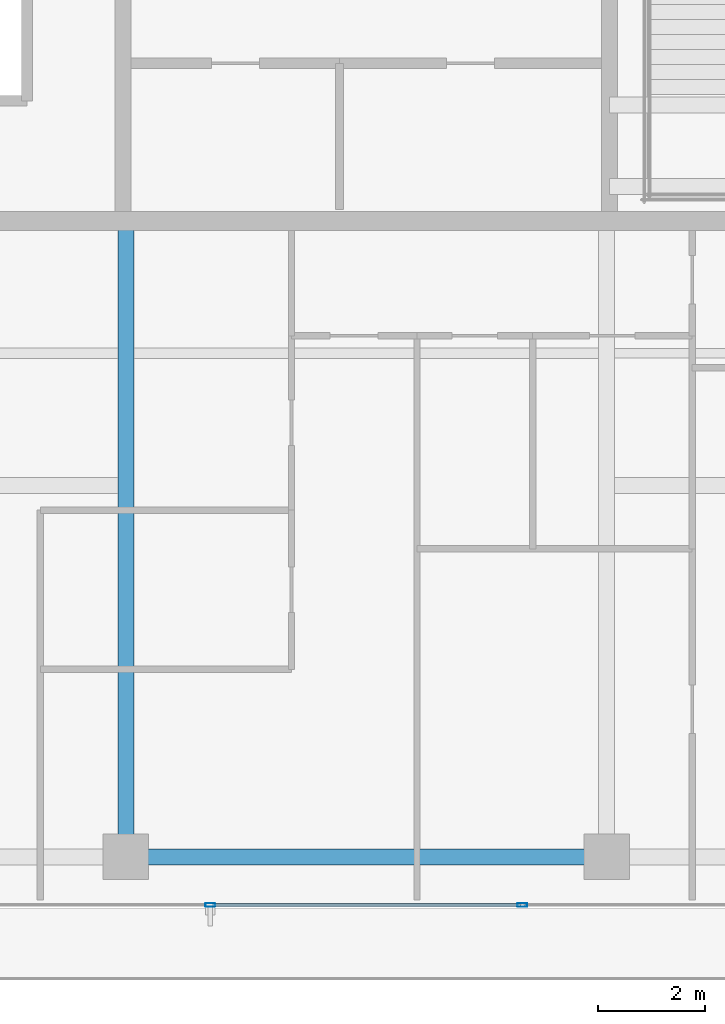
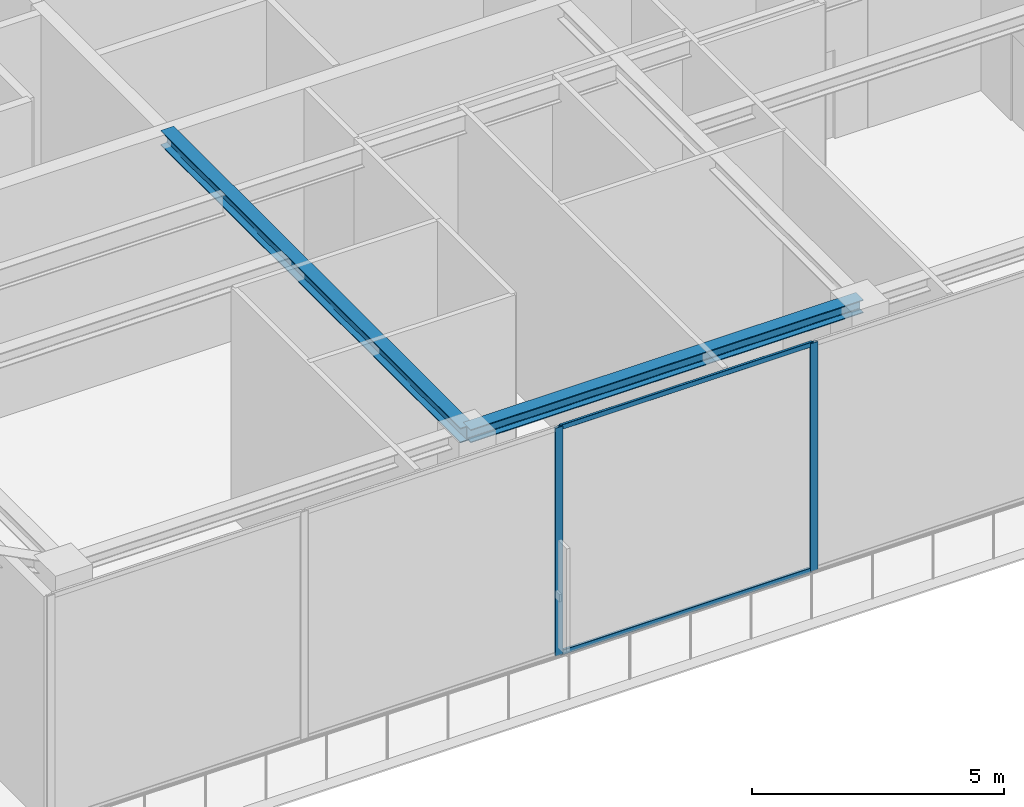
# One storey, part 6 of 38: 4 members, 2 beams, 1 element without a shape of its own.
"""IFC4 building model written with IfcOpenShell, lengths in metres."""

from ifc_helpers import new_model, si_unit, direction, frame, origin, origin_2d, place, context, subcontext, project, spatial, hollow_rectangle, i_section, extrude, source, transform, mapped, material, layer, layer_set, material_profile, profile_set, type_object, element, aggregate, save


model = new_model("IFC4")

# Units and contexts
model_context = context("Model", 3, precision=1e-05, world=origin(), true_north=direction((0.0, 1.0)))
body_context = subcontext(model_context, "Body", "Model", "MODEL_VIEW")
ifc_project = project(units=[si_unit("LENGTHUNIT", "METRE"), si_unit("AREAUNIT", "SQUARE_METRE"), si_unit("VOLUMEUNIT", "CUBIC_METRE"), si_unit("PLANEANGLEUNIT", "RADIAN"), si_unit("MASSUNIT", "GRAM", prefix="KILO")], contexts=[model_context])

# Site, building, storey
site_placement = place(None, origin())
site = spatial("IfcSite", under=ifc_project, at=site_placement, CompositionType="ELEMENT")
building_placement = place(site_placement, origin())
building = spatial("IfcBuilding", under=site, at=building_placement, Name="Serunith Strait Residences", CompositionType="ELEMENT")
storey_placement = place(building_placement, frame((0.0, 0.0, 353.85009765625)))
storey = spatial("IfcBuildingStorey", under=building, at=storey_placement, Name="L87", CompositionType="ELEMENT", Elevation=353.85009765625)

# Beams
ifc_material_1 = material(Name="Steel S355J2", Category="steel")
ifc_material_profile_1 = material_profile(ifc_material_1, i_section(OverallWidth=0.300048828125, OverallDepth=0.360107421875, WebThickness=0.012451171875, FlangeThickness=0.0224609375, FilletRadius=0.027099609375, at=origin_2d()), Name="HEB 360")
ifc_profile_set_1 = profile_set([ifc_material_profile_1], Name="Steel S355J2")
beam_type_1 = type_object("IfcBeamType", Name="BM-HEB360", PredefinedType="BEAM", material=ifc_profile_set_1)
shared_shape_1 = source(origin(), body_context, "Body", "SweptSolid", [
    extrude(i_section(OverallWidth=0.300048828125, OverallDepth=0.360107421875, WebThickness=0.012451171875, FlangeThickness=0.0224609375, FilletRadius=0.027099609375, at=origin_2d()), origin(), (0.0, 0.0, 1.0), 11.900146484375),
])
beam_1_placement = place(storey_placement, frame((27.89990234375, 16.800048828125, 5.35693359375), z_axis=(0.0, -1.0, 0.0), x_axis=(1.0, 0.0, 0.0)))
element("IfcBeam", 1, at=beam_1_placement, inside=storey, type_object=beam_type_1, Name="L87 Primary Floor Girder TC-S2", PredefinedType="BEAM", context=body_context, shape_type="MappedRepresentation", body=[
    mapped(shared_shape_1, transform((0.0, 0.0, 0.0), scale=1.0)),
])
ifc_material_profile_2 = material_profile(ifc_material_1, i_section(OverallWidth=0.300048828125, OverallDepth=0.320068359375, WebThickness=0.011474609375, FlangeThickness=0.0205078125, FilletRadius=0.027099609375, at=origin_2d()), Name="HEB 320")
ifc_profile_set_2 = profile_set([ifc_material_profile_2], Name="Steel S355J2")
beam_type_2 = type_object("IfcBeamType", Name="BM-HEB320", PredefinedType="BEAM", material=ifc_profile_set_2)
shared_shape_2 = source(origin(), body_context, "Body", "SweptSolid", [
    extrude(i_section(OverallWidth=0.300048828125, OverallDepth=0.320068359375, WebThickness=0.011474609375, FlangeThickness=0.0205078125, FilletRadius=0.027099609375, at=origin_2d()), origin(), (0.0, 0.0, 1.0), 9.0),
])
beam_2_placement = place(storey_placement, frame((27.89990234375, 4.89990234375, 5.376953125), z_axis=(1.0, 0.0, 0.0), x_axis=(0.0, 1.0, 0.0)))
element("IfcBeam", 2, at=beam_2_placement, inside=storey, type_object=beam_type_2, Name="L87 Perimeter Ring Beam 02", PredefinedType="BEAM", context=body_context, shape_type="MappedRepresentation", body=[
    mapped(shared_shape_2, transform((0.0, 0.0, 0.0), scale=1.0)),
])

# Curtain wall, members
ifc_material_2 = material(Name="Brushed Stainless-Silver Aluminium", Category="aluminium")
ifc_layer = layer(ifc_material_2, 0.199951171875, Name="Brushed Stainless-Silver Aluminium")
ifc_layer_set = layer_set([ifc_layer], Name="Brushed Stainless-Silver Aluminium")
curtain_wall_type = type_object("IfcCurtainWallType", Name="CW-SYS5", PredefinedType="NOTDEFINED", material=ifc_layer_set)
curtain_wall_placement = place(storey_placement, origin())
curtain_wall = element("IfcCurtainWall", 3, at=curtain_wall_placement, inside=storey, type_object=curtain_wall_type, Name="L87 S Unitised Fritted Curtain Wall", PredefinedType="NOTDEFINED")
ifc_material_profile_3 = material_profile(ifc_material_2, hollow_rectangle(XDim=0.06005859375, YDim=0.1201171875, WallThickness=0.00341796875, InnerFilletRadius=0.00537109375, OuterFilletRadius=0.0087890625, at=origin_2d()), Name="ALU 120x60x3.5")
ifc_profile_set_3 = profile_set([ifc_material_profile_3], Name="Brushed Stainless-Silver Aluminium")
member_type_1 = type_object("IfcMemberType", Name="CW-SYS5-TRAN", PredefinedType="USERDEFINED", material=ifc_profile_set_3)
shared_shape_3 = source(origin(), body_context, "Body", "SweptSolid", [
    extrude(hollow_rectangle(XDim=0.06005859375, YDim=0.1201171875, WallThickness=0.00341796875, InnerFilletRadius=0.00537109375, OuterFilletRadius=0.0087890625, at=origin_2d()), origin(), (0.0, 0.0, 1.0), 5.775146484375),
])
member_1_placement = place(storey_placement, frame((29.512451171875, 4.0, 0.02978515625), z_axis=(1.0, 0.0, 0.0), x_axis=(0.0, 1.0, 0.0)))
member_1 = element("IfcMember", 4, at=member_1_placement, type_object=member_type_1, Name="CW-5 transom 3.1", ObjectType="TRANSOM", PredefinedType="USERDEFINED", context=body_context, shape_type="MappedRepresentation", body=[
    mapped(shared_shape_3, transform((0.0, 0.0, 0.0), scale=1.0)),
])
member_2_placement = place(storey_placement, frame((29.512451171875, 4.0, 5.494873046875), z_axis=(1.0, 0.0, 0.0), x_axis=(0.0, 1.0, 0.0)))
member_2 = element("IfcMember", 5, at=member_2_placement, type_object=member_type_1, Name="CW-5 transom 3.2", ObjectType="TRANSOM", PredefinedType="USERDEFINED", context=body_context, shape_type="MappedRepresentation", body=[
    mapped(shared_shape_3, transform((0.0, 0.0, 0.0), scale=1.0)),
])
ifc_material_profile_4 = material_profile(ifc_material_2, hollow_rectangle(XDim=0.06494140625, YDim=0.179931640625, WallThickness=0.00341796875, InnerFilletRadius=0.00537109375, OuterFilletRadius=0.0087890625, at=origin_2d()), Name="ALU 180x65x3.5")
ifc_profile_set_4 = profile_set([ifc_material_profile_4], Name="Brushed Stainless-Silver Aluminium")
member_type_2 = type_object("IfcMemberType", Name="CW-SYS5-MULL", PredefinedType="MULLION", material=ifc_profile_set_4)
shared_shape_4 = source(origin(), body_context, "Body", "SweptSolid", [
    extrude(hollow_rectangle(XDim=0.06494140625, YDim=0.179931640625, WallThickness=0.00341796875, InnerFilletRadius=0.00537109375, OuterFilletRadius=0.0087890625, at=origin_2d()), origin(), (0.0, 0.0, 1.0), 5.52490234375),
])
member_3_placement = place(storey_placement, frame((29.47998046875, 4.0, 0.0), z_axis=(0.0, 0.0, 1.0), x_axis=(0.0, 1.0, 0.0)))
member_3 = element("IfcMember", 6, at=member_3_placement, type_object=member_type_2, Name="CW-5 mullion 3", PredefinedType="MULLION", context=body_context, shape_type="MappedRepresentation", body=[
    mapped(shared_shape_4, transform((0.0, 0.0, 0.0), scale=1.0)),
])
member_4_placement = place(storey_placement, frame((35.320068359375, 4.0, 0.0), z_axis=(0.0, 0.0, 1.0), x_axis=(0.0, 1.0, 0.0)))
member_4 = element("IfcMember", 7, at=member_4_placement, type_object=member_type_2, Name="CW-5 mullion 4", PredefinedType="MULLION", context=body_context, shape_type="MappedRepresentation", body=[
    mapped(shared_shape_4, transform((0.0, 0.0, 0.0), scale=1.0)),
])
aggregate(curtain_wall, [member_3, member_4, member_1, member_2])

save(model, "model.ifc")
